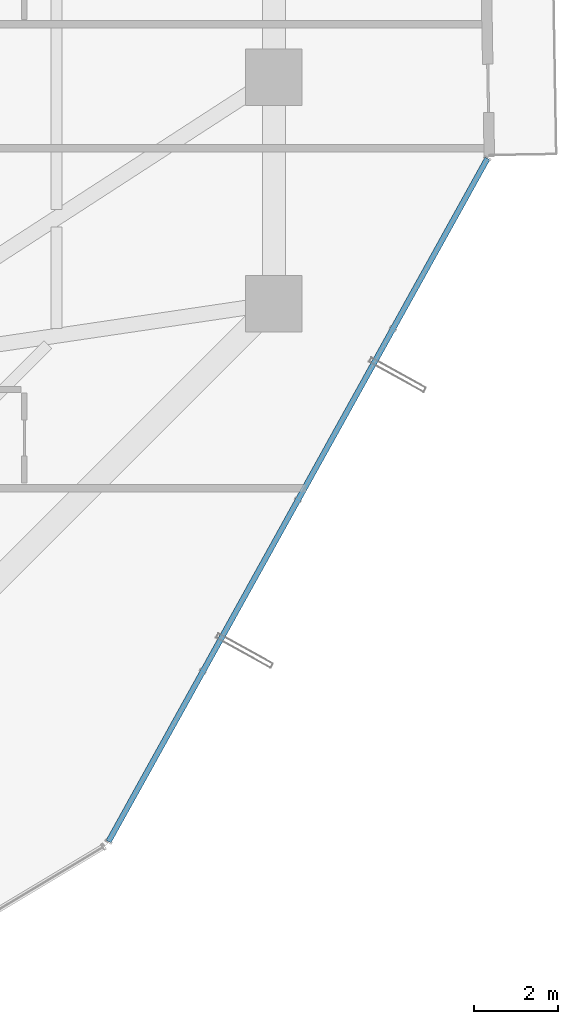
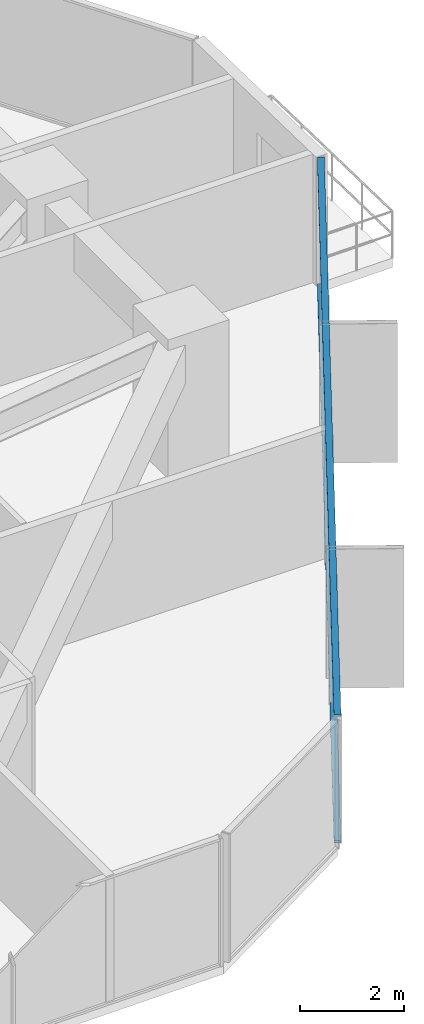
# One storey, part 17 of 39: 2 members, 1 element without a shape of its own.
"""IFC4 building model written with IfcOpenShell, lengths in metres."""

from ifc_helpers import new_model, si_unit, direction, frame, origin, origin_2d, place, context, subcontext, project, spatial, hollow_rectangle, extrude, source, transform, mapped, material, layer, layer_set, material_profile, profile_set, type_object, element, aggregate, save


model = new_model("IFC4")

# Units and contexts
model_context = context("Model", 3, precision=1e-05, world=origin(), true_north=direction((0.0, 1.0)))
body_context = subcontext(model_context, "Body", "Model", "MODEL_VIEW")
ifc_project = project(units=[si_unit("LENGTHUNIT", "METRE"), si_unit("AREAUNIT", "SQUARE_METRE"), si_unit("VOLUMEUNIT", "CUBIC_METRE"), si_unit("PLANEANGLEUNIT", "RADIAN"), si_unit("MASSUNIT", "GRAM", prefix="KILO")], contexts=[model_context])

# Site, building, storey
site_placement = place(None, origin())
site = spatial("IfcSite", under=ifc_project, at=site_placement, CompositionType="ELEMENT")
building_placement = place(site_placement, origin())
building = spatial("IfcBuilding", under=site, at=building_placement, Name="Veraguas Prism Commons", CompositionType="ELEMENT")
storey_placement = place(building_placement, frame((0.0, 0.0, 27.300048828125)))
storey = spatial("IfcBuildingStorey", under=building, at=storey_placement, Name="L06", CompositionType="ELEMENT", Elevation=27.300048828125)

# Curtain wall, members
ifc_material = material(Name="Anodised aluminium EN AW-6063 T6", Category="aluminium")
ifc_layer = layer(ifc_material, 0.169921875, Name="Unitised Flush Curtain Wall Zone 1", Category="aluminium")
ifc_layer_set = layer_set([ifc_layer], Name="Anodised aluminium EN AW-6063 T6")
curtain_wall_type = type_object("IfcCurtainWallType", Name="Unitised Flush Curtain Wall Zone 1", PredefinedType="NOTDEFINED", material=ifc_layer_set)
curtain_wall_placement = place(storey_placement, origin())
curtain_wall = element("IfcCurtainWall", 1, at=curtain_wall_placement, inside=storey, type_object=curtain_wall_type, Name="Tower Facade Curtain Wall L06-F6", PredefinedType="NOTDEFINED")
ifc_material_profile = material_profile(ifc_material, hollow_rectangle(XDim=0.054931640625, YDim=0.135009765625, WallThickness=0.0029296875, at=origin_2d()), Name="AL55X135X3")
ifc_profile_set = profile_set([ifc_material_profile], Name="Anodised aluminium EN AW-6063 T6")
member_type = type_object("IfcMemberType", Name="Curtain Wall Transom Standard AL 55x135x3", PredefinedType="USERDEFINED", material=ifc_profile_set)
shared_shape = source(origin(), body_context, "Body", "SweptSolid", [
    extrude(hollow_rectangle(XDim=0.054931640625, YDim=0.135009765625, WallThickness=0.0029296875, at=origin_2d()), origin(), (0.0, 0.0, 1.0), 18.62353515625),
])
member_1_placement = place(storey_placement, frame((37.65771484375, 5.7744140625, 0.02734375), z_axis=(0.48511860001, 0.874448365499, 0.0), x_axis=(0.0, 0.0, 1.0)))
member_1 = element("IfcMember", 2, at=member_1_placement, type_object=member_type, Name="CW-Z1 Transom 1", ObjectType="TRANSOM", PredefinedType="USERDEFINED", context=body_context, shape_type="MappedRepresentation", body=[
    mapped(shared_shape, transform((0.0, 0.0, 0.0), scale=1.0)),
])
member_2_placement = place(storey_placement, frame((37.65771484375, 5.7744140625, 2.972412109375), z_axis=(0.48511860001, 0.874448365499, 0.0), x_axis=(0.0, 0.0, 1.0)))
member_2 = element("IfcMember", 3, at=member_2_placement, type_object=member_type, Name="CW-Z1 Transom 2", ObjectType="TRANSOM", PredefinedType="USERDEFINED", context=body_context, shape_type="MappedRepresentation", body=[
    mapped(shared_shape, transform((0.0, 0.0, 0.0), scale=1.0)),
])
aggregate(curtain_wall, [member_1, member_2])

save(model, "model.ifc")
